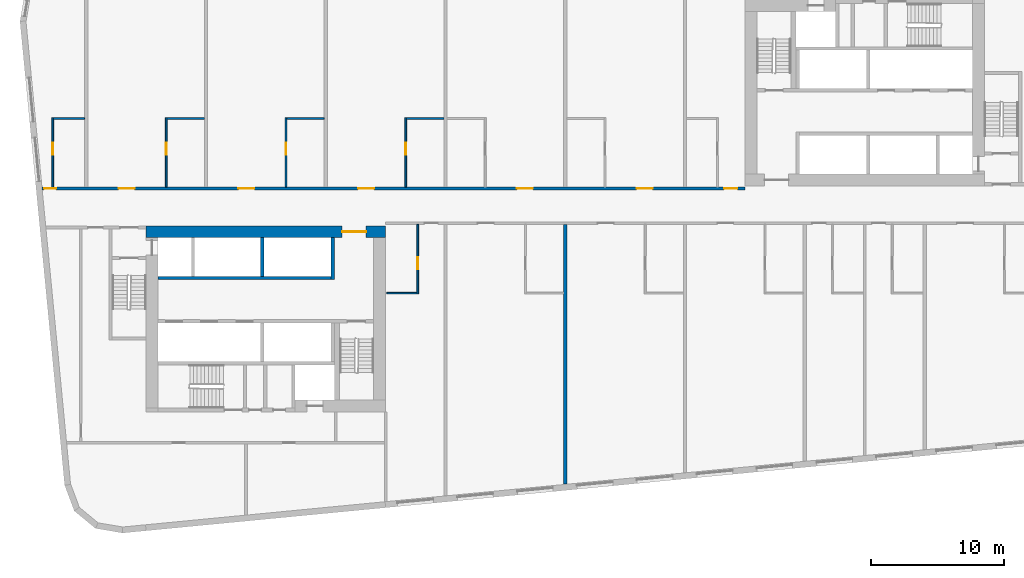
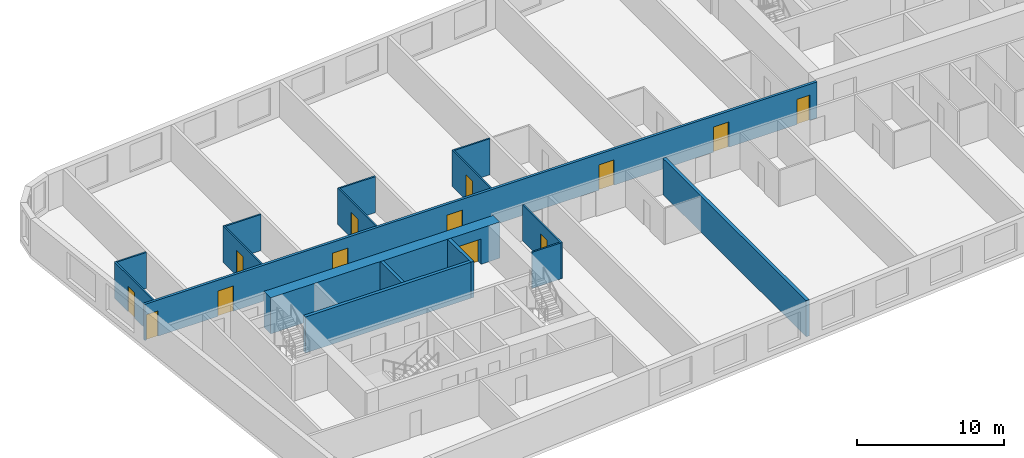
# One storey, part 3 of 12: 16 walls, 13 doors, 13 openings.
"""IFC4 building model written with IfcOpenShell, lengths in metres."""

from ifc_helpers import new_model, si_unit, direction, frame, frame_2d, origin, place, context, subcontext, project, spatial, rectangle, extrude, material, layer, layer_set, type_object, element, fill, save


model = new_model("IFC4")

# Units and contexts
model_context = context("Model", 3, precision=1e-05, world=origin(), true_north=direction((0.0, 1.0)))
body_context = subcontext(model_context, "Body", "Model", "MODEL_VIEW")
ifc_project = project(units=[si_unit("LENGTHUNIT", "METRE"), si_unit("AREAUNIT", "SQUARE_METRE"), si_unit("VOLUMEUNIT", "CUBIC_METRE"), si_unit("PLANEANGLEUNIT", "RADIAN"), si_unit("MASSUNIT", "GRAM", prefix="KILO")], contexts=[model_context])

# Site, building, storey
site_placement = place(None, origin())
site = spatial("IfcSite", under=ifc_project, at=site_placement, CompositionType="ELEMENT")
building_placement = place(site_placement, origin())
building = spatial("IfcBuilding", under=site, at=building_placement, Name="Kajstack Hotel Tower", CompositionType="ELEMENT")
storey_placement = place(building_placement, frame((0.0, 0.0, 147.10009765625)))
storey = spatial("IfcBuildingStorey", under=building, at=storey_placement, Name="L34", CompositionType="ELEMENT", Elevation=147.10009765625)

# Wall, opening, door
ifc_material_1 = material(Name="Concrete C60/75", Category="concrete")
ifc_layer_1 = layer(ifc_material_1, 0.89990234375)
ifc_layer_set_1 = layer_set([ifc_layer_1], Name="Core wall 900")
wall_type_1 = type_object("IfcWallType", Name="Core wall 900", PredefinedType="SHEAR", material=ifc_layer_set_1)
wall_1_placement = place(storey_placement, frame((-31.5, -1.949951171875, 0.0), z_axis=(0.0, 0.0, 1.0), x_axis=(1.0, 0.0, 0.0)))
wall_1 = element("IfcWall", 1, at=wall_1_placement, inside=storey, type_object=wall_type_1, Name="Core wall W RN", PredefinedType="SHEAR", context=body_context, shape_type="SweptSolid", body=[
    extrude(rectangle(XDim=18.0, YDim=0.89990234375, at=frame_2d((9.0, 0.0))), origin(), (0.0, 0.0, 1.0), 3.0),
])
opening_1_placement = place(wall_1_placement, frame((14.72509765625, 0.0, 0.0)))
opening_1 = element("IfcOpeningElement", 2, at=opening_1_placement, cuts=wall_1, Name="Opening 34W06", PredefinedType="OPENING", context=body_context, shape_type="SweptSolid", body=[
    extrude(rectangle(XDim=1.800048828125, YDim=2.10009765625, at=frame_2d((0.89990234375, 1.050048828125))), frame((0.0, 0.4599609375, 0.0), z_axis=(0.0, -1.0, 0.0), x_axis=(1.0, 0.0, 0.0)), (0.0, 0.0, 1.0), 0.919921875),
])
ifc_material_2 = material(Name="Glazed steel frame, fire-rated glass", Category="steel")
door_type_1 = type_object("IfcDoorType", Name="Lobby double door 1800", OperationType="DOUBLE_DOOR_DOUBLE_SWING", PredefinedType="DOOR", material=ifc_material_2)
door_1_placement = place(opening_1_placement, origin())
door_1 = element("IfcDoor", 3, at=door_1_placement, inside=storey, type_object=door_type_1, Name="Door 34W06", OperationType="DOUBLE_DOOR_DOUBLE_SWING", OverallHeight=2.10009765625, OverallWidth=1.800048828125, PredefinedType="DOOR", context=body_context, shape_type="SweptSolid", body=[
    extrude(rectangle(XDim=1.800048828125, YDim=2.10009765625, at=frame_2d((0.89990234375, 1.050048828125))), frame((0.0, 0.02490234375, 0.0), z_axis=(0.0, -1.0, 0.0), x_axis=(1.0, 0.0, 0.0)), (0.0, 0.0, 1.0), 0.050048828125),
])
fill(opening_1, door_1)

# Wall, openings, doors
ifc_material_3 = material(Name="Gypsum board on steel studs, mineral wool", Category="steel")
ifc_layer_2 = layer(ifc_material_3, 0.199951171875)
ifc_layer_set_2 = layer_set([ifc_layer_2], Name="Corridor wall 200")
wall_type_2 = type_object("IfcWallType", Name="Corridor wall 200", PredefinedType="PARTITIONING", material=ifc_layer_set_2)
wall_2_placement = place(storey_placement, frame((-39.31591796875, 1.300048828125, 0.0), z_axis=(0.0, 0.0, 1.0), x_axis=(1.0, 0.0, 0.0)))
wall_2 = element("IfcWall", 4, at=wall_2_placement, inside=storey, type_object=wall_type_2, Name="G-wall-L34-003", PredefinedType="PARTITIONING", context=body_context, shape_type="SweptSolid", body=[
    extrude(rectangle(XDim=52.81591796875, YDim=0.199951171875, at=frame_2d((26.407958984375, 0.0))), origin(), (0.0, 0.0, 1.0), 3.0),
])
opening_2_placement = place(wall_2_placement, frame((0.14990234375, 0.0, 0.0)))
opening_2 = element("IfcOpeningElement", 5, at=opening_2_placement, cuts=wall_2, Name="Opening 34001", PredefinedType="OPENING", context=body_context, shape_type="SweptSolid", body=[
    extrude(rectangle(XDim=0.89990234375, YDim=2.10009765625, at=frame_2d((0.449951171875, 1.050048828125))), frame((0.0, 0.10986328125, 0.0), z_axis=(0.0, -1.0, 0.0), x_axis=(1.0, 0.0, 0.0)), (0.0, 0.0, 1.0), 0.219970703125),
])
opening_3_placement = place(wall_2_placement, frame((5.75390625, 0.0, 0.0)))
opening_3 = element("IfcOpeningElement", 6, at=opening_3_placement, cuts=wall_2, Name="Opening 34003", PredefinedType="OPENING", context=body_context, shape_type="SweptSolid", body=[
    extrude(rectangle(XDim=1.199951171875, YDim=2.10009765625, at=frame_2d((0.60009765625, 1.050048828125))), frame((0.0, 0.10986328125, 0.0), z_axis=(0.0, -1.0, 0.0), x_axis=(1.0, 0.0, 0.0)), (0.0, 0.0, 1.0), 0.219970703125),
])
opening_4_placement = place(wall_2_placement, frame((14.75390625, 0.0, 0.0)))
opening_4 = element("IfcOpeningElement", 7, at=opening_4_placement, cuts=wall_2, Name="Opening 34005", PredefinedType="OPENING", context=body_context, shape_type="SweptSolid", body=[
    extrude(rectangle(XDim=1.199951171875, YDim=2.10009765625, at=frame_2d((0.60009765625, 1.050048828125))), frame((0.0, 0.10986328125, 0.0), z_axis=(0.0, -1.0, 0.0), x_axis=(1.0, 0.0, 0.0)), (0.0, 0.0, 1.0), 0.219970703125),
])
opening_5_placement = place(wall_2_placement, frame((23.75390625, 0.0, 0.0)))
opening_5 = element("IfcOpeningElement", 8, at=opening_5_placement, cuts=wall_2, Name="Opening 34007", PredefinedType="OPENING", context=body_context, shape_type="SweptSolid", body=[
    extrude(rectangle(XDim=1.199951171875, YDim=2.10009765625, at=frame_2d((0.60009765625, 1.050048828125))), frame((0.0, 0.10986328125, 0.0), z_axis=(0.0, -1.0, 0.0), x_axis=(1.0, 0.0, 0.0)), (0.0, 0.0, 1.0), 0.219970703125),
])
opening_6_placement = place(wall_2_placement, frame((35.677978515625, 0.0, 0.0)))
opening_6 = element("IfcOpeningElement", 9, at=opening_6_placement, cuts=wall_2, Name="Opening 34009", PredefinedType="OPENING", context=body_context, shape_type="SweptSolid", body=[
    extrude(rectangle(XDim=1.199951171875, YDim=2.10009765625, at=frame_2d((0.60009765625, 1.050048828125))), frame((0.0, 0.10986328125, 0.0), z_axis=(0.0, -1.0, 0.0), x_axis=(1.0, 0.0, 0.0)), (0.0, 0.0, 1.0), 0.219970703125),
])
opening_7_placement = place(wall_2_placement, frame((44.677978515625, 0.0, 0.0)))
opening_7 = element("IfcOpeningElement", 10, at=opening_7_placement, cuts=wall_2, Name="Opening 34011", PredefinedType="OPENING", context=body_context, shape_type="SweptSolid", body=[
    extrude(rectangle(XDim=1.199951171875, YDim=2.10009765625, at=frame_2d((0.60009765625, 1.050048828125))), frame((0.0, 0.10986328125, 0.0), z_axis=(0.0, -1.0, 0.0), x_axis=(1.0, 0.0, 0.0)), (0.0, 0.0, 1.0), 0.219970703125),
])
opening_8_placement = place(wall_2_placement, frame((51.240966796875, 0.0, 0.0)))
opening_8 = element("IfcOpeningElement", 11, at=opening_8_placement, cuts=wall_2, Name="Opening 34013", PredefinedType="OPENING", context=body_context, shape_type="SweptSolid", body=[
    extrude(rectangle(XDim=1.0, YDim=2.10009765625, at=frame_2d((0.5, 1.050048828125))), frame((0.0, 0.10986328125, 0.0), z_axis=(0.0, -1.0, 0.0), x_axis=(1.0, 0.0, 0.0)), (0.0, 0.0, 1.0), 0.219970703125),
])
ifc_material_4 = material(Name="Oak veneer on timber core, fire-rated leaf", Category="wood")
door_type_2 = type_object("IfcDoorType", Name="Flat entrance door 1000", OperationType="SINGLE_SWING_LEFT", PredefinedType="DOOR", material=ifc_material_4)
door_2_placement = place(opening_8_placement, origin())
door_2 = element("IfcDoor", 12, at=door_2_placement, inside=storey, type_object=door_type_2, Name="G-door-L34-13", OperationType="SINGLE_SWING_LEFT", OverallHeight=2.10009765625, OverallWidth=1.0, PredefinedType="DOOR", context=body_context, shape_type="SweptSolid", body=[
    extrude(rectangle(XDim=1.0, YDim=2.10009765625, at=frame_2d((0.5, 1.050048828125))), frame((0.0, 0.02490234375, 0.0), z_axis=(0.0, -1.0, 0.0), x_axis=(1.0, 0.0, 0.0)), (0.0, 0.0, 1.0), 0.050048828125),
])
fill(opening_8, door_2)
door_type_3 = type_object("IfcDoorType", Name="Flat entrance door 1200", OperationType="SINGLE_SWING_LEFT", PredefinedType="DOOR", material=ifc_material_4)
door_3_placement = place(opening_3_placement, origin())
door_3 = element("IfcDoor", 13, at=door_3_placement, inside=storey, type_object=door_type_3, Name="G-door-L34-03", OperationType="SINGLE_SWING_LEFT", OverallHeight=2.10009765625, OverallWidth=1.199951171875, PredefinedType="DOOR", context=body_context, shape_type="SweptSolid", body=[
    extrude(rectangle(XDim=1.199951171875, YDim=2.10009765625, at=frame_2d((0.60009765625, 1.050048828125))), frame((0.0, 0.02490234375, 0.0), z_axis=(0.0, -1.0, 0.0), x_axis=(1.0, 0.0, 0.0)), (0.0, 0.0, 1.0), 0.050048828125),
])
fill(opening_3, door_3)
door_4_placement = place(opening_4_placement, origin())
door_4 = element("IfcDoor", 14, at=door_4_placement, inside=storey, type_object=door_type_3, Name="G-door-L34-05", OperationType="SINGLE_SWING_LEFT", OverallHeight=2.10009765625, OverallWidth=1.199951171875, PredefinedType="DOOR", context=body_context, shape_type="SweptSolid", body=[
    extrude(rectangle(XDim=1.199951171875, YDim=2.10009765625, at=frame_2d((0.60009765625, 1.050048828125))), frame((0.0, 0.02490234375, 0.0), z_axis=(0.0, -1.0, 0.0), x_axis=(1.0, 0.0, 0.0)), (0.0, 0.0, 1.0), 0.050048828125),
])
fill(opening_4, door_4)
door_5_placement = place(opening_5_placement, origin())
door_5 = element("IfcDoor", 15, at=door_5_placement, inside=storey, type_object=door_type_3, Name="G-door-L34-07", OperationType="SINGLE_SWING_RIGHT", OverallHeight=2.10009765625, OverallWidth=1.199951171875, PredefinedType="DOOR", context=body_context, shape_type="SweptSolid", body=[
    extrude(rectangle(XDim=1.199951171875, YDim=2.10009765625, at=frame_2d((0.60009765625, 1.050048828125))), frame((0.0, 0.02490234375, 0.0), z_axis=(0.0, -1.0, 0.0), x_axis=(1.0, 0.0, 0.0)), (0.0, 0.0, 1.0), 0.050048828125),
])
fill(opening_5, door_5)
door_6_placement = place(opening_6_placement, origin())
door_6 = element("IfcDoor", 16, at=door_6_placement, inside=storey, type_object=door_type_3, Name="G-door-L34-09", OperationType="SINGLE_SWING_RIGHT", OverallHeight=2.10009765625, OverallWidth=1.199951171875, PredefinedType="DOOR", context=body_context, shape_type="SweptSolid", body=[
    extrude(rectangle(XDim=1.199951171875, YDim=2.10009765625, at=frame_2d((0.60009765625, 1.050048828125))), frame((0.0, 0.02490234375, 0.0), z_axis=(0.0, -1.0, 0.0), x_axis=(1.0, 0.0, 0.0)), (0.0, 0.0, 1.0), 0.050048828125),
])
fill(opening_6, door_6)
door_7_placement = place(opening_7_placement, origin())
door_7 = element("IfcDoor", 17, at=door_7_placement, inside=storey, type_object=door_type_3, Name="G-door-L34-11", OperationType="SINGLE_SWING_LEFT", OverallHeight=2.10009765625, OverallWidth=1.199951171875, PredefinedType="DOOR", context=body_context, shape_type="SweptSolid", body=[
    extrude(rectangle(XDim=1.199951171875, YDim=2.10009765625, at=frame_2d((0.60009765625, 1.050048828125))), frame((0.0, 0.02490234375, 0.0), z_axis=(0.0, -1.0, 0.0), x_axis=(1.0, 0.0, 0.0)), (0.0, 0.0, 1.0), 0.050048828125),
])
fill(opening_7, door_7)
ifc_material_5 = material(Name="Painted timber door leaf", Category="wood")
door_type_4 = type_object("IfcDoorType", Name="Room door 900", OperationType="SINGLE_SWING_LEFT", PredefinedType="DOOR", material=ifc_material_5)
door_8_placement = place(opening_2_placement, origin())
door_8 = element("IfcDoor", 18, at=door_8_placement, inside=storey, type_object=door_type_4, Name="G-door-L34-01", OperationType="SINGLE_SWING_LEFT", OverallHeight=2.10009765625, OverallWidth=0.89990234375, PredefinedType="DOOR", context=body_context, shape_type="SweptSolid", body=[
    extrude(rectangle(XDim=0.89990234375, YDim=2.10009765625, at=frame_2d((0.449951171875, 1.050048828125))), frame((0.0, 0.02490234375, 0.0), z_axis=(0.0, -1.0, 0.0), x_axis=(1.0, 0.0, 0.0)), (0.0, 0.0, 1.0), 0.050048828125),
])
fill(opening_2, door_8)

# Wall, opening, door
ifc_material_6 = material(Name="Gypsum board and tiled backer on steel studs", Category="steel")
ifc_layer_3 = layer(ifc_material_6, 0.125)
ifc_layer_set_3 = layer_set([ifc_layer_3], Name="En-suite wall 125")
wall_type_3 = type_object("IfcWallType", Name="En-suite wall 125", PredefinedType="PARTITIONING", material=ifc_layer_set_3)
wall_3_placement = place(storey_placement, frame((-38.51904296875, 1.39990234375, 0.0), z_axis=(0.0, 0.0, 1.0), x_axis=(0.0, 1.0, 0.0)))
wall_3 = element("IfcWall", 19, at=wall_3_placement, inside=storey, type_object=wall_type_3, Name="G-wall-L34-004", PredefinedType="PARTITIONING", context=body_context, shape_type="SweptSolid", body=[
    extrude(rectangle(XDim=5.22509765625, YDim=0.125, at=frame_2d((2.612548828125, 0.0))), origin(), (0.0, 0.0, 1.0), 3.0),
])
opening_9_placement = place(wall_3_placement, frame((2.449951171875, 0.0, 0.0)))
opening_9 = element("IfcOpeningElement", 20, at=opening_9_placement, cuts=wall_3, Name="Opening 34002", PredefinedType="OPENING", context=body_context, shape_type="SweptSolid", body=[
    extrude(rectangle(XDim=0.89990234375, YDim=2.10009765625, at=frame_2d((0.449951171875, 1.050048828125))), frame((0.0, 0.072509765625, 0.0), z_axis=(0.0, -1.0, 0.0), x_axis=(1.0, 0.0, 0.0)), (0.0, 0.0, 1.0), 0.14501953125),
])
door_9_placement = place(opening_9_placement, origin())
door_9 = element("IfcDoor", 21, at=door_9_placement, inside=storey, type_object=door_type_4, Name="G-door-L34-02", OperationType="SINGLE_SWING_LEFT", OverallHeight=2.10009765625, OverallWidth=0.89990234375, PredefinedType="DOOR", context=body_context, shape_type="SweptSolid", body=[
    extrude(rectangle(XDim=0.89990234375, YDim=2.10009765625, at=frame_2d((0.449951171875, 1.050048828125))), frame((0.0, 0.02490234375, 0.0), z_axis=(0.0, -1.0, 0.0), x_axis=(1.0, 0.0, 0.0)), (0.0, 0.0, 1.0), 0.050048828125),
])
fill(opening_9, door_9)

# Wall
wall_4_placement = place(storey_placement, frame((-38.45703125, 6.56201171875, 0.0), z_axis=(0.0, 0.0, 1.0), x_axis=(1.0, 0.0, 0.0)))
element("IfcWall", 22, at=wall_4_placement, inside=storey, type_object=wall_type_3, Name="G-wall-L34-005", PredefinedType="PARTITIONING", context=body_context, shape_type="SweptSolid", body=[
    extrude(rectangle(XDim=2.33203125, YDim=0.125, at=frame_2d((1.166015625, 0.0))), origin(), (0.0, 0.0, 1.0), 3.0),
])

# Wall, opening, door
wall_5_placement = place(storey_placement, frame((-29.988037109375, 1.39990234375, 0.0), z_axis=(0.0, 0.0, 1.0), x_axis=(0.0, 1.0, 0.0)))
wall_5 = element("IfcWall", 23, at=wall_5_placement, inside=storey, type_object=wall_type_3, Name="G-wall-L34-006", PredefinedType="PARTITIONING", context=body_context, shape_type="SweptSolid", body=[
    extrude(rectangle(XDim=5.22509765625, YDim=0.125, at=frame_2d((2.612548828125, 0.0))), origin(), (0.0, 0.0, 1.0), 3.0),
])
opening_10_placement = place(wall_5_placement, frame((2.449951171875, 0.0, 0.0)))
opening_10 = element("IfcOpeningElement", 24, at=opening_10_placement, cuts=wall_5, Name="Opening 34004", PredefinedType="OPENING", context=body_context, shape_type="SweptSolid", body=[
    extrude(rectangle(XDim=0.89990234375, YDim=2.10009765625, at=frame_2d((0.449951171875, 1.050048828125))), frame((0.0, 0.072509765625, 0.0), z_axis=(0.0, -1.0, 0.0), x_axis=(1.0, 0.0, 0.0)), (0.0, 0.0, 1.0), 0.14501953125),
])
door_10_placement = place(opening_10_placement, origin())
door_10 = element("IfcDoor", 25, at=door_10_placement, inside=storey, type_object=door_type_4, Name="G-door-L34-04", OperationType="SINGLE_SWING_LEFT", OverallHeight=2.10009765625, OverallWidth=0.89990234375, PredefinedType="DOOR", context=body_context, shape_type="SweptSolid", body=[
    extrude(rectangle(XDim=0.89990234375, YDim=2.10009765625, at=frame_2d((0.449951171875, 1.050048828125))), frame((0.0, 0.02490234375, 0.0), z_axis=(0.0, -1.0, 0.0), x_axis=(1.0, 0.0, 0.0)), (0.0, 0.0, 1.0), 0.050048828125),
])
fill(opening_10, door_10)

# Wall
wall_6_placement = place(storey_placement, frame((-29.925048828125, 6.56201171875, 0.0), z_axis=(0.0, 0.0, 1.0), x_axis=(1.0, 0.0, 0.0)))
element("IfcWall", 26, at=wall_6_placement, inside=storey, type_object=wall_type_3, Name="G-wall-L34-007", PredefinedType="PARTITIONING", context=body_context, shape_type="SweptSolid", body=[
    extrude(rectangle(XDim=2.800048828125, YDim=0.125, at=frame_2d((1.39990234375, 0.0))), origin(), (0.0, 0.0, 1.0), 3.0),
])

# Wall, opening, door
wall_7_placement = place(storey_placement, frame((-20.988037109375, 1.39990234375, 0.0), z_axis=(0.0, 0.0, 1.0), x_axis=(0.0, 1.0, 0.0)))
wall_7 = element("IfcWall", 27, at=wall_7_placement, inside=storey, type_object=wall_type_3, Name="G-wall-L34-008", PredefinedType="PARTITIONING", context=body_context, shape_type="SweptSolid", body=[
    extrude(rectangle(XDim=5.22509765625, YDim=0.125, at=frame_2d((2.612548828125, 0.0))), origin(), (0.0, 0.0, 1.0), 3.0),
])
opening_11_placement = place(wall_7_placement, frame((2.449951171875, 0.0, 0.0)))
opening_11 = element("IfcOpeningElement", 28, at=opening_11_placement, cuts=wall_7, Name="Opening 34006", PredefinedType="OPENING", context=body_context, shape_type="SweptSolid", body=[
    extrude(rectangle(XDim=0.89990234375, YDim=2.10009765625, at=frame_2d((0.449951171875, 1.050048828125))), frame((0.0, 0.072509765625, 0.0), z_axis=(0.0, -1.0, 0.0), x_axis=(1.0, 0.0, 0.0)), (0.0, 0.0, 1.0), 0.14501953125),
])
door_11_placement = place(opening_11_placement, origin())
door_11 = element("IfcDoor", 29, at=door_11_placement, inside=storey, type_object=door_type_4, Name="G-door-L34-06", OperationType="SINGLE_SWING_LEFT", OverallHeight=2.10009765625, OverallWidth=0.89990234375, PredefinedType="DOOR", context=body_context, shape_type="SweptSolid", body=[
    extrude(rectangle(XDim=0.89990234375, YDim=2.10009765625, at=frame_2d((0.449951171875, 1.050048828125))), frame((0.0, 0.02490234375, 0.0), z_axis=(0.0, -1.0, 0.0), x_axis=(1.0, 0.0, 0.0)), (0.0, 0.0, 1.0), 0.050048828125),
])
fill(opening_11, door_11)

# Wall
wall_8_placement = place(storey_placement, frame((-20.925048828125, 6.56201171875, 0.0), z_axis=(0.0, 0.0, 1.0), x_axis=(1.0, 0.0, 0.0)))
element("IfcWall", 30, at=wall_8_placement, inside=storey, type_object=wall_type_3, Name="G-wall-L34-009", PredefinedType="PARTITIONING", context=body_context, shape_type="SweptSolid", body=[
    extrude(rectangle(XDim=2.800048828125, YDim=0.125, at=frame_2d((1.39990234375, 0.0))), origin(), (0.0, 0.0, 1.0), 3.0),
])

# Wall, opening, door
wall_9_placement = place(storey_placement, frame((-11.988037109375, 1.39990234375, 0.0), z_axis=(0.0, 0.0, 1.0), x_axis=(0.0, 1.0, 0.0)))
wall_9 = element("IfcWall", 31, at=wall_9_placement, inside=storey, type_object=wall_type_3, Name="G-wall-L34-010", PredefinedType="PARTITIONING", context=body_context, shape_type="SweptSolid", body=[
    extrude(rectangle(XDim=5.22509765625, YDim=0.125, at=frame_2d((2.612548828125, 0.0))), origin(), (0.0, 0.0, 1.0), 3.0),
])
opening_12_placement = place(wall_9_placement, frame((2.449951171875, 0.0, 0.0)))
opening_12 = element("IfcOpeningElement", 32, at=opening_12_placement, cuts=wall_9, Name="Opening 34008", PredefinedType="OPENING", context=body_context, shape_type="SweptSolid", body=[
    extrude(rectangle(XDim=0.89990234375, YDim=2.10009765625, at=frame_2d((0.449951171875, 1.050048828125))), frame((0.0, 0.072509765625, 0.0), z_axis=(0.0, -1.0, 0.0), x_axis=(1.0, 0.0, 0.0)), (0.0, 0.0, 1.0), 0.14501953125),
])
door_12_placement = place(opening_12_placement, origin())
door_12 = element("IfcDoor", 33, at=door_12_placement, inside=storey, type_object=door_type_4, Name="G-door-L34-08", OperationType="SINGLE_SWING_LEFT", OverallHeight=2.10009765625, OverallWidth=0.89990234375, PredefinedType="DOOR", context=body_context, shape_type="SweptSolid", body=[
    extrude(rectangle(XDim=0.89990234375, YDim=2.10009765625, at=frame_2d((0.449951171875, 1.050048828125))), frame((0.0, 0.02490234375, 0.0), z_axis=(0.0, -1.0, 0.0), x_axis=(1.0, 0.0, 0.0)), (0.0, 0.0, 1.0), 0.050048828125),
])
fill(opening_12, door_12)

# Wall
wall_10_placement = place(storey_placement, frame((-11.925048828125, 6.56201171875, 0.0), z_axis=(0.0, 0.0, 1.0), x_axis=(1.0, 0.0, 0.0)))
element("IfcWall", 34, at=wall_10_placement, inside=storey, type_object=wall_type_3, Name="G-wall-L34-011", PredefinedType="PARTITIONING", context=body_context, shape_type="SweptSolid", body=[
    extrude(rectangle(XDim=2.800048828125, YDim=0.125, at=frame_2d((1.39990234375, 0.0))), origin(), (0.0, 0.0, 1.0), 3.0),
])

# Wall, opening, door
wall_11_placement = place(storey_placement, frame((-11.087890625, -6.625, 0.0), z_axis=(0.0, 0.0, 1.0), x_axis=(0.0, 1.0, 0.0)))
wall_11 = element("IfcWall", 35, at=wall_11_placement, inside=storey, type_object=wall_type_3, Name="G-wall-L34-019", PredefinedType="PARTITIONING", context=body_context, shape_type="SweptSolid", body=[
    extrude(rectangle(XDim=5.22509765625, YDim=0.125, at=frame_2d((2.612548828125, 0.0))), origin(), (0.0, 0.0, 1.0), 3.0),
])
opening_13_placement = place(wall_11_placement, frame((1.875, 0.0, 0.0)))
opening_13 = element("IfcOpeningElement", 36, at=opening_13_placement, cuts=wall_11, Name="Opening 34016", PredefinedType="OPENING", context=body_context, shape_type="SweptSolid", body=[
    extrude(rectangle(XDim=0.89990234375, YDim=2.10009765625, at=frame_2d((0.449951171875, 1.050048828125))), frame((0.0, 0.072509765625, 0.0), z_axis=(0.0, -1.0, 0.0), x_axis=(1.0, 0.0, 0.0)), (0.0, 0.0, 1.0), 0.14501953125),
])
door_13_placement = place(opening_13_placement, origin())
door_13 = element("IfcDoor", 37, at=door_13_placement, inside=storey, type_object=door_type_4, Name="G-door-L34-16", OperationType="SINGLE_SWING_RIGHT", OverallHeight=2.10009765625, OverallWidth=0.89990234375, PredefinedType="DOOR", context=body_context, shape_type="SweptSolid", body=[
    extrude(rectangle(XDim=0.89990234375, YDim=2.10009765625, at=frame_2d((0.449951171875, 1.050048828125))), frame((0.0, 0.02490234375, 0.0), z_axis=(0.0, -1.0, 0.0), x_axis=(1.0, 0.0, 0.0)), (0.0, 0.0, 1.0), 0.050048828125),
])
fill(opening_13, door_13)

# Walls
wall_12_placement = place(storey_placement, frame((-13.39990234375, -6.56201171875, 0.0), z_axis=(0.0, 0.0, 1.0), x_axis=(1.0, 0.0, 0.0)))
element("IfcWall", 38, at=wall_12_placement, inside=storey, type_object=wall_type_3, Name="G-wall-L34-020", PredefinedType="PARTITIONING", context=body_context, shape_type="SweptSolid", body=[
    extrude(rectangle(XDim=2.25, YDim=0.125, at=frame_2d((1.125, 0.0))), origin(), (0.0, 0.0, 1.0), 3.0),
])
ifc_material_7 = material(Name="Concrete C50/60", Category="concrete")
ifc_layer_4 = layer(ifc_material_7, 0.300048828125)
ifc_layer_set_4 = layer_set([ifc_layer_4], Name="Hoistway divider wall 300")
wall_type_4 = type_object("IfcWallType", Name="Hoistway divider wall 300", PredefinedType="SHEAR", material=ifc_layer_set_4)
wall_13_placement = place(storey_placement, frame((-22.77490234375, -5.300048828125, 0.0), z_axis=(0.0, 0.0, 1.0), x_axis=(0.0, 1.0, 0.0)))
element("IfcWall", 39, at=wall_13_placement, inside=storey, type_object=wall_type_4, Name="Core wall W AP2", PredefinedType="SHEAR", context=body_context, shape_type="SweptSolid", body=[
    extrude(rectangle(XDim=2.900146484375, YDim=0.25, at=frame_2d((1.4501953125, 0.0))), origin(), (0.0, 0.0, 1.0), 3.0),
])
ifc_material_8 = material(Name="Concrete C55/67", Category="concrete")
ifc_layer_5 = layer(ifc_material_8, 0.25)
ifc_layer_set_5 = layer_set([ifc_layer_5], Name="RC cross wall 250 C55/67")
wall_type_5 = type_object("IfcWallType", Name="RC cross wall 250 C55/67", PredefinedType="SHEAR", material=ifc_layer_set_5)
wall_14_placement = place(storey_placement, frame((0.0, -20.910400390625, 0.0), z_axis=(0.0, 0.0, 1.0), x_axis=(0.0, 1.0, 0.0)))
element("IfcWall", 40, at=wall_14_placement, inside=storey, type_object=wall_type_5, Name="S-wall-L34-06", PredefinedType="SHEAR", context=body_context, shape_type="SweptSolid", body=[
    extrude(rectangle(XDim=19.510498046875, YDim=0.25, at=frame_2d((9.75537109375, 0.0))), origin(), (0.0, 0.0, 1.0), 3.0),
])
ifc_layer_6 = layer(ifc_material_7, 0.25)
ifc_layer_set_6 = layer_set([ifc_layer_6], Name="Shaft wall 250")
wall_type_6 = type_object("IfcWallType", Name="Shaft wall 250", PredefinedType="SHEAR", material=ifc_layer_set_6)
wall_15_placement = place(storey_placement, frame((-30.60009765625, -5.425048828125, 0.0), z_axis=(0.0, 0.0, 1.0), x_axis=(1.0, 0.0, 0.0)))
element("IfcWall", 41, at=wall_15_placement, inside=storey, type_object=wall_type_6, Name="Core wall W FA", PredefinedType="SHEAR", context=body_context, shape_type="SweptSolid", body=[
    extrude(rectangle(XDim=13.0, YDim=0.25, at=frame_2d((6.5, 0.0))), origin(), (0.0, 0.0, 1.0), 3.0),
])
wall_16_placement = place(storey_placement, frame((-17.47509765625, -5.550048828125, 0.0), z_axis=(0.0, 0.0, 1.0), x_axis=(0.0, 1.0, 0.0)))
element("IfcWall", 42, at=wall_16_placement, inside=storey, type_object=wall_type_6, Name="Core wall W AE", PredefinedType="SHEAR", context=body_context, shape_type="SweptSolid", body=[
    extrude(rectangle(XDim=3.150146484375, YDim=0.25, at=frame_2d((1.5751953125, 0.0))), origin(), (0.0, 0.0, 1.0), 3.0),
])

save(model, "model.ifc")
